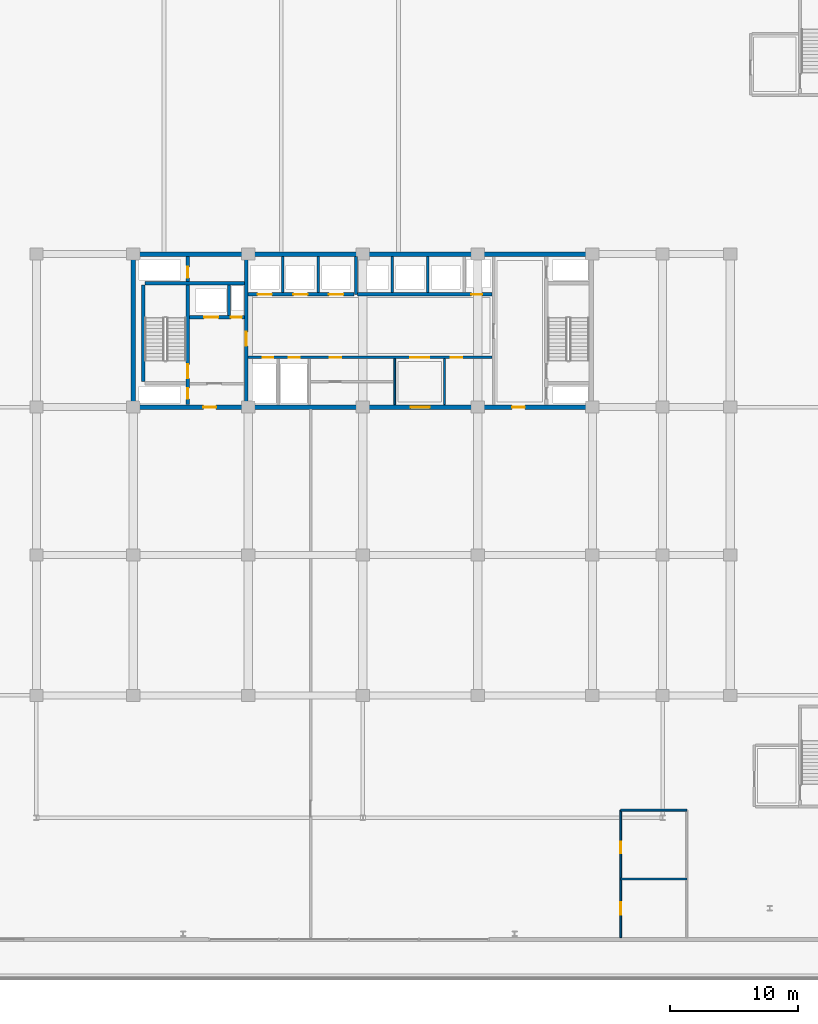
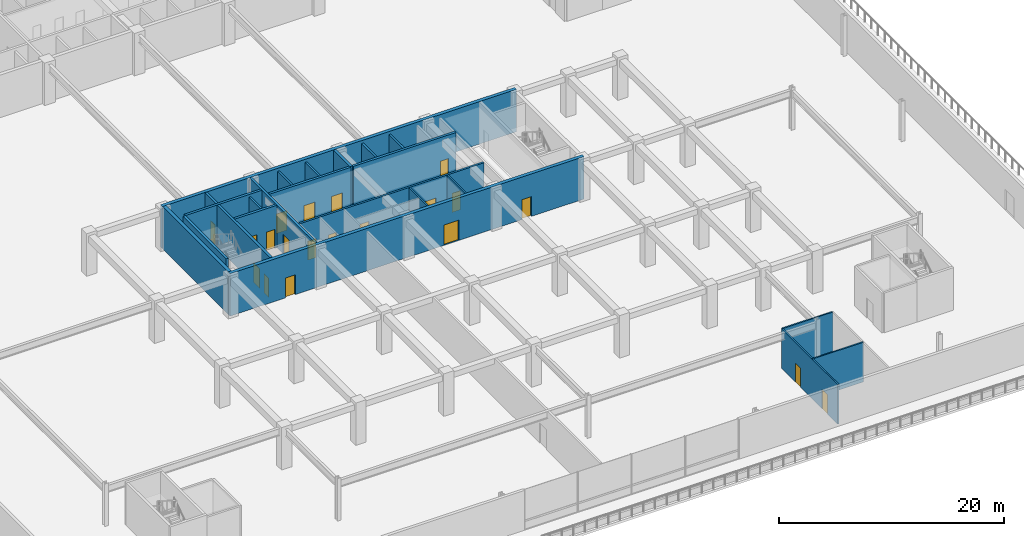
# One storey, part 21 of 45: 22 walls, 20 doors, 20 openings.
"""IFC4 building model written with IfcOpenShell, lengths in metres."""

from ifc_helpers import new_model, si_unit, direction, frame, frame_2d, origin, place, context, subcontext, project, spatial, rectangle, extrude, material, layer, layer_set, type_object, element, fill, save


model = new_model("IFC4")

# Units and contexts
model_context = context("Model", 3, precision=1e-05, world=origin(), true_north=direction((0.0, 1.0)))
body_context = subcontext(model_context, "Body", "Model", "MODEL_VIEW")
ifc_project = project(units=[si_unit("LENGTHUNIT", "METRE"), si_unit("AREAUNIT", "SQUARE_METRE"), si_unit("VOLUMEUNIT", "CUBIC_METRE"), si_unit("PLANEANGLEUNIT", "RADIAN"), si_unit("MASSUNIT", "GRAM", prefix="KILO")], contexts=[model_context])

# Site, building, storey
site_placement = place(None, origin())
site = spatial("IfcSite", under=ifc_project, at=site_placement, CompositionType="ELEMENT")
building_placement = place(site_placement, origin())
building = spatial("IfcBuilding", under=site, at=building_placement, Name="Korimba Cascade Residences", CompositionType="ELEMENT")
storey_placement = place(building_placement, frame((0.0, 0.0, 5.39990234375)))
storey = spatial("IfcBuildingStorey", under=building, at=storey_placement, Name="L01", CompositionType="ELEMENT", Elevation=5.39990234375)

# Walls
ifc_material_1 = material(Name="Concrete C65/80", Category="concrete")
ifc_layer_1 = layer(ifc_material_1, 0.35009765625)
ifc_layer_set_1 = layer_set([ifc_layer_1], Name="Concrete C65/80")
wall_type_1 = type_object("IfcWallType", Name="WAL-CORE-350", PredefinedType="SHEAR", material=ifc_layer_set_1)
wall_1_placement = place(storey_placement, frame((81.925048828125, 30.39990234375, 0.0), z_axis=(0.0, 0.0, 1.0), x_axis=(1.0, 0.0, 0.0)))
element("IfcWall", 1, at=wall_1_placement, inside=storey, type_object=wall_type_1, Name="L01 Core Shear Wall CW-L01-T2-N", PredefinedType="SHEAR", context=body_context, shape_type="SweptSolid", body=[
    extrude(rectangle(XDim=36.264892578125, YDim=0.35009765625, at=frame_2d((18.13232421875, 0.0))), origin(), (0.0, 0.0, 1.0), 4.60009765625),
])
wall_2_placement = place(storey_placement, frame((82.10009765625, 18.574951171875, 0.0), z_axis=(0.0, 0.0, 1.0), x_axis=(0.0, 1.0, 0.0)))
element("IfcWall", 2, at=wall_2_placement, inside=storey, type_object=wall_type_1, Name="L01 Core Shear Wall CW-L01-T2-W", PredefinedType="SHEAR", context=body_context, shape_type="SweptSolid", body=[
    extrude(rectangle(XDim=11.650146484375, YDim=0.35009765625, at=frame_2d((5.8251953125, 0.0))), origin(), (0.0, 0.0, 1.0), 4.60009765625),
])

# Wall, openings, doors
wall_3_placement = place(storey_placement, frame((81.925048828125, 18.39990234375, 0.0), z_axis=(0.0, 0.0, 1.0), x_axis=(1.0, 0.0, 0.0)))
wall_3 = element("IfcWall", 3, at=wall_3_placement, inside=storey, type_object=wall_type_1, Name="L01 Core Shear Wall CW-L01-T2-S", PredefinedType="SHEAR", context=body_context, shape_type="SweptSolid", body=[
    extrude(rectangle(XDim=36.264892578125, YDim=0.35009765625, at=frame_2d((18.13232421875, 0.0))), origin(), (0.0, 0.0, 1.0), 4.60009765625),
])
opening_1_placement = place(wall_3_placement, frame((5.675048828125, 0.0, 0.0)))
opening_1 = element("IfcOpeningElement", 4, at=opening_1_placement, cuts=wall_3, Name="Opening D-FD5", PredefinedType="OPENING", context=body_context, shape_type="SweptSolid", body=[
    extrude(rectangle(XDim=1.0, YDim=2.14990234375, at=frame_2d((0.5, 1.074951171875))), frame((0.0, 0.18505859375, 0.0), z_axis=(0.0, -1.0, 0.0), x_axis=(1.0, 0.0, 0.0)), (0.0, 0.0, 1.0), 0.3701171875),
])
opening_2_placement = place(wall_3_placement, frame((21.925048828125, 0.0, 0.0)))
opening_2 = element("IfcOpeningElement", 5, at=opening_2_placement, cuts=wall_3, Name="Opening D-FD8", PredefinedType="OPENING", context=body_context, shape_type="SweptSolid", body=[
    extrude(rectangle(XDim=1.5, YDim=2.199951171875, at=frame_2d((0.75, 1.10009765625))), frame((0.0, 0.18505859375, 0.0), z_axis=(0.0, -1.0, 0.0), x_axis=(1.0, 0.0, 0.0)), (0.0, 0.0, 1.0), 0.3701171875),
])
opening_3_placement = place(wall_3_placement, frame((29.875, 0.0, 0.0)))
opening_3 = element("IfcOpeningElement", 6, at=opening_3_placement, cuts=wall_3, Name="Opening D-FD5", PredefinedType="OPENING", context=body_context, shape_type="SweptSolid", body=[
    extrude(rectangle(XDim=1.0, YDim=2.14990234375, at=frame_2d((0.5, 1.074951171875))), frame((0.0, 0.18505859375, 0.0), z_axis=(0.0, -1.0, 0.0), x_axis=(1.0, 0.0, 0.0)), (0.0, 0.0, 1.0), 0.3701171875),
])
ifc_material_2 = material(Name="Fire-Rated Acoustic Timber Vestibule Door", Category="wood")
door_type_1 = type_object("IfcDoorType", Name="DR-FD90-1000", OperationType="NOTDEFINED", PredefinedType="DOOR", material=ifc_material_2)
door_1_placement = place(opening_1_placement, origin())
door_1 = element("IfcDoor", 7, at=door_1_placement, inside=storey, type_object=door_type_1, Name="L01 T2 West Core Vestibule Fire Door", OperationType="SINGLE_SWING_RIGHT", OverallHeight=2.14990234375, OverallWidth=1.0, PredefinedType="DOOR", context=body_context, shape_type="SweptSolid", body=[
    extrude(rectangle(XDim=1.0, YDim=2.14990234375, at=frame_2d((0.5, 1.074951171875))), frame((0.0, 0.02490234375, 0.0), z_axis=(0.0, -1.0, 0.0), x_axis=(1.0, 0.0, 0.0)), (0.0, 0.0, 1.0), 0.050048828125),
])
fill(opening_1, door_1)
door_2_placement = place(opening_3_placement, origin())
door_2 = element("IfcDoor", 8, at=door_2_placement, inside=storey, type_object=door_type_1, Name="L01 T2 East Stair Vestibule Fire Door", OperationType="SINGLE_SWING_LEFT", OverallHeight=2.14990234375, OverallWidth=1.0, PredefinedType="DOOR", context=body_context, shape_type="SweptSolid", body=[
    extrude(rectangle(XDim=1.0, YDim=2.14990234375, at=frame_2d((0.5, 1.074951171875))), frame((0.0, 0.02490234375, 0.0), z_axis=(0.0, -1.0, 0.0), x_axis=(1.0, 0.0, 0.0)), (0.0, 0.0, 1.0), 0.050048828125),
])
fill(opening_3, door_2)
ifc_material_3 = material(Name="Fire-Rated Glazed Lift Lobby Double Door", Category="glass")
door_type_2 = type_object("IfcDoorType", Name="DR-FD90-1500", OperationType="NOTDEFINED", PredefinedType="DOOR", material=ifc_material_3)
door_3_placement = place(opening_2_placement, origin())
door_3 = element("IfcDoor", 9, at=door_3_placement, inside=storey, type_object=door_type_2, Name="L01 T2 Lift Lobby Fire Door", OperationType="DOUBLE_DOOR_SINGLE_SWING", OverallHeight=2.199951171875, OverallWidth=1.5, PredefinedType="DOOR", context=body_context, shape_type="SweptSolid", body=[
    extrude(rectangle(XDim=1.5, YDim=2.199951171875, at=frame_2d((0.75, 1.10009765625))), frame((0.0, 0.02490234375, 0.0), z_axis=(0.0, -1.0, 0.0), x_axis=(1.0, 0.0, 0.0)), (0.0, 0.0, 1.0), 0.050048828125),
])
fill(opening_2, door_3)

# Walls
ifc_material_4 = material(Name="Insulated Acoustic Stud Partition", Category="gypsum")
ifc_layer_2 = layer(ifc_material_4, 0.14990234375)
ifc_layer_set_2 = layer_set([ifc_layer_2], Name="Insulated Acoustic Stud Partition")
wall_type_2 = type_object("IfcWallType", Name="WAL-PART-150", PredefinedType="PARTITIONING", material=ifc_layer_set_2)
for number, where, z_axis, x_axis, name in (
    (10, (102.60009765625, 18.60009765625, 0.0), (0.0, 0.0, 1.0), (0.0, 1.0, 0.0), "L01 Partition Wall CW-L01-T2-THW"),
    (11, (106.5, 18.60009765625, 0.0), (0.0, 0.0, 1.0), (0.0, 1.0, 0.0), "L01 Partition Wall CW-L01-T2-THE"),
):
    element("IfcWall", number, at=place(storey_placement, frame(where, z_axis=z_axis, x_axis=x_axis)), inside=storey, type_object=wall_type_2, Name=name, PredefinedType="PARTITIONING", context=body_context, shape_type="SweptSolid", body=[
        extrude(rectangle(XDim=3.599853515625, YDim=0.14990234375, at=frame_2d((1.7998046875, 0.0))), origin(), (0.0, 0.0, 1.0), 4.300048828125),
    ])

# Wall, openings, doors
wall_4_placement = place(storey_placement, frame((120.320068359375, -23.199951171875, 0.0), z_axis=(0.0, 0.0, 1.0), x_axis=(0.0, 1.0, 0.0)))
wall_4 = element("IfcWall", 12, at=wall_4_placement, inside=storey, type_object=wall_type_2, Name="L01 Partition Wall WAL-L01-WCW", PredefinedType="PARTITIONING", context=body_context, shape_type="SweptSolid", body=[
    extrude(rectangle(XDim=10.0, YDim=0.14990234375, at=frame_2d((5.0, 0.0))), origin(), (0.0, 0.0, 1.0), 4.300048828125),
])
opening_4_placement = place(wall_4_placement, frame((1.800048828125, 0.0, 0.0)))
opening_4 = element("IfcOpeningElement", 13, at=opening_4_placement, cuts=wall_4, Name="Opening D-AC1", PredefinedType="OPENING", context=body_context, shape_type="SweptSolid", body=[
    extrude(rectangle(XDim=0.9599609375, YDim=2.10009765625, at=frame_2d((0.47998046875, 1.050048828125))), frame((0.0, 0.0849609375, 0.0), z_axis=(0.0, -1.0, 0.0), x_axis=(1.0, 0.0, 0.0)), (0.0, 0.0, 1.0), 0.169921875),
])
opening_5_placement = place(wall_4_placement, frame((6.60009765625, 0.0, 0.0)))
opening_5 = element("IfcOpeningElement", 14, at=opening_5_placement, cuts=wall_4, Name="Opening D-IN1", PredefinedType="OPENING", context=body_context, shape_type="SweptSolid", body=[
    extrude(rectangle(XDim=0.919921875, YDim=2.080078125, at=frame_2d((0.4599609375, 1.0400390625))), frame((0.0, 0.0849609375, 0.0), z_axis=(0.0, -1.0, 0.0), x_axis=(1.0, 0.0, 0.0)), (0.0, 0.0, 1.0), 0.169921875),
])
ifc_material_5 = material(Name="Accessible Acoustic Timber WC Door", Category="wood")
door_type_3 = type_object("IfcDoorType", Name="DR-ACC-950", OperationType="NOTDEFINED", PredefinedType="DOOR", material=ifc_material_5)
door_4_placement = place(opening_4_placement, origin())
door_4 = element("IfcDoor", 15, at=door_4_placement, inside=storey, type_object=door_type_3, Name="L01 Accessible WC Door", OperationType="SINGLE_SWING_RIGHT", OverallHeight=2.10009765625, OverallWidth=0.9599609375, PredefinedType="DOOR", context=body_context, shape_type="SweptSolid", body=[
    extrude(rectangle(XDim=0.9599609375, YDim=2.10009765625, at=frame_2d((0.47998046875, 1.050048828125))), frame((0.0, 0.02490234375, 0.0), z_axis=(0.0, -1.0, 0.0), x_axis=(1.0, 0.0, 0.0)), (0.0, 0.0, 1.0), 0.050048828125),
])
fill(opening_4, door_4)
ifc_material_6 = material(Name="Acoustic Timber Living Door", Category="wood")
door_type_4 = type_object("IfcDoorType", Name="DR-INT-920", OperationType="NOTDEFINED", PredefinedType="DOOR", material=ifc_material_6)
door_5_placement = place(opening_5_placement, origin())
door_5 = element("IfcDoor", 16, at=door_5_placement, inside=storey, type_object=door_type_4, Name="L01 Restroom Door", OperationType="SINGLE_SWING_LEFT", OverallHeight=2.080078125, OverallWidth=0.919921875, PredefinedType="DOOR", context=body_context, shape_type="SweptSolid", body=[
    extrude(rectangle(XDim=0.919921875, YDim=2.080078125, at=frame_2d((0.4599609375, 1.0400390625))), frame((0.0, 0.02490234375, 0.0), z_axis=(0.0, -1.0, 0.0), x_axis=(1.0, 0.0, 0.0)), (0.0, 0.0, 1.0), 0.050048828125),
])
fill(opening_5, door_5)

# Walls
for number, where, z_axis, x_axis, name in (
    (17, (120.320068359375, -18.60009765625, 0.0), (0.0, 0.0, 1.0), (1.0, 0.0, 0.0), "L01 Partition Wall WAL-L01-WCH1"),
    (18, (120.320068359375, -13.199951171875, 0.0), (0.0, 0.0, 1.0), (1.0, 0.0, 0.0), "L01 Partition Wall WAL-L01-WCH2"),
):
    element("IfcWall", number, at=place(storey_placement, frame(where, z_axis=z_axis, x_axis=x_axis)), inside=storey, type_object=wall_type_2, Name=name, PredefinedType="PARTITIONING", context=body_context, shape_type="SweptSolid", body=[
        extrude(rectangle(XDim=5.179931640625, YDim=0.14990234375, at=frame_2d((2.58984375, 0.0))), origin(), (0.0, 0.0, 1.0), 4.300048828125),
    ])
ifc_material_7 = material(Name="Concrete C40/50", Category="concrete")
ifc_layer_3 = layer(ifc_material_7, 0.199951171875)
ifc_layer_set_3 = layer_set([ifc_layer_3], Name="Concrete C40/50")
wall_type_3 = type_object("IfcWallType", Name="WAL-PART-200", PredefinedType="PARTITIONING", material=ifc_layer_set_3)
wall_5_placement = place(storey_placement, frame((89.60009765625, 25.580078125, 0.0), z_axis=(0.0, 0.0, 1.0), x_axis=(0.0, 1.0, 0.0)))
element("IfcWall", 19, at=wall_5_placement, inside=storey, type_object=wall_type_3, Name="L01 Partition Wall CW-L01-T2-FFLDIV", PredefinedType="PARTITIONING", context=body_context, shape_type="SweptSolid", body=[
    extrude(rectangle(XDim=2.419921875, YDim=0.199951171875, at=frame_2d((1.2099609375, 0.0))), origin(), (0.0, 0.0, 1.0), 4.300048828125),
])
for number, where, z_axis, x_axis, name in (
    (20, (93.800048828125, 27.3798828125, 0.0), (0.0, 0.0, 1.0), (0.0, 1.0, 0.0), "L01 Partition Wall CW-L01-T2-B1D1"),
    (21, (96.60009765625, 27.3798828125, 0.0), (0.0, 0.0, 1.0), (0.0, 1.0, 0.0), "L01 Partition Wall CW-L01-T2-B1D2"),
    (22, (102.39990234375, 27.3798828125, 0.0), (0.0, 0.0, 1.0), (0.0, 1.0, 0.0), "L01 Partition Wall CW-L01-T2-B2D1"),
    (23, (105.199951171875, 27.3798828125, 0.0), (0.0, 0.0, 1.0), (0.0, 1.0, 0.0), "L01 Partition Wall CW-L01-T2-B2D2"),
):
    element("IfcWall", number, at=place(storey_placement, frame(where, z_axis=z_axis, x_axis=x_axis)), inside=storey, type_object=wall_type_3, Name=name, PredefinedType="PARTITIONING", context=body_context, shape_type="SweptSolid", body=[
        extrude(rectangle(XDim=2.820068359375, YDim=0.199951171875, at=frame_2d((1.41015625, 0.0))), origin(), (0.0, 0.0, 1.0), 4.300048828125),
    ])

# Wall, openings, doors
wall_6_placement = place(storey_placement, frame((91.080078125, 22.300048828125, 0.0), z_axis=(0.0, 0.0, 1.0), x_axis=(1.0, 0.0, 0.0)))
wall_6 = element("IfcWall", 24, at=wall_6_placement, inside=storey, type_object=wall_type_3, Name="L01 Partition Wall CW-L01-T2-SRVROW", PredefinedType="PARTITIONING", context=body_context, shape_type="SweptSolid", body=[
    extrude(rectangle(XDim=19.139892578125, YDim=0.199951171875, at=frame_2d((9.56982421875, 0.0))), origin(), (0.0, 0.0, 1.0), 4.300048828125),
])
opening_6_placement = place(wall_6_placement, frame((1.14990234375, 0.0, 0.0)))
opening_6 = element("IfcOpeningElement", 25, at=opening_6_placement, cuts=wall_6, Name="Opening D-RS1", PredefinedType="OPENING", context=body_context, shape_type="SweptSolid", body=[
    extrude(rectangle(XDim=0.85009765625, YDim=2.050048828125, at=frame_2d((0.425048828125, 1.02490234375))), frame((0.0, 0.10986328125, 0.0), z_axis=(0.0, -1.0, 0.0), x_axis=(1.0, 0.0, 0.0)), (0.0, 0.0, 1.0), 0.219970703125),
])
opening_7_placement = place(wall_6_placement, frame((3.199951171875, 0.0, 0.0)))
opening_7 = element("IfcOpeningElement", 26, at=opening_7_placement, cuts=wall_6, Name="Opening D-RS1", PredefinedType="OPENING", context=body_context, shape_type="SweptSolid", body=[
    extrude(rectangle(XDim=0.85009765625, YDim=2.050048828125, at=frame_2d((0.425048828125, 1.02490234375))), frame((0.0, 0.10986328125, 0.0), z_axis=(0.0, -1.0, 0.0), x_axis=(1.0, 0.0, 0.0)), (0.0, 0.0, 1.0), 0.219970703125),
])
opening_8_placement = place(wall_6_placement, frame((12.719970703125, 0.0, 0.0)))
opening_8 = element("IfcOpeningElement", 27, at=opening_8_placement, cuts=wall_6, Name="Opening D-FD8", PredefinedType="OPENING", context=body_context, shape_type="SweptSolid", body=[
    extrude(rectangle(XDim=1.5, YDim=2.199951171875, at=frame_2d((0.75, 1.10009765625))), frame((0.0, 0.10986328125, 0.0), z_axis=(0.0, -1.0, 0.0), x_axis=(1.0, 0.0, 0.0)), (0.0, 0.0, 1.0), 0.219970703125),
])
opening_9_placement = place(wall_6_placement, frame((6.419921875, 0.0, 0.0)))
opening_9 = element("IfcOpeningElement", 28, at=opening_9_placement, cuts=wall_6, Name="Opening D-IN1", PredefinedType="OPENING", context=body_context, shape_type="SweptSolid", body=[
    extrude(rectangle(XDim=0.919921875, YDim=2.080078125, at=frame_2d((0.4599609375, 1.0400390625))), frame((0.0, 0.10986328125, 0.0), z_axis=(0.0, -1.0, 0.0), x_axis=(1.0, 0.0, 0.0)), (0.0, 0.0, 1.0), 0.219970703125),
])
opening_10_placement = place(wall_6_placement, frame((15.919921875, 0.0, 0.0)))
opening_10 = element("IfcOpeningElement", 29, at=opening_10_placement, cuts=wall_6, Name="Opening D-IN2", PredefinedType="OPENING", context=body_context, shape_type="SweptSolid", body=[
    extrude(rectangle(XDim=0.8798828125, YDim=2.06005859375, at=frame_2d((0.43994140625, 1.030029296875))), frame((0.0, 0.10986328125, 0.0), z_axis=(0.0, -1.0, 0.0), x_axis=(1.0, 0.0, 0.0)), (0.0, 0.0, 1.0), 0.219970703125),
])
ifc_material_8 = material(Name="Fire-Rated Steel Riser Access Door", Category="steel")
door_type_5 = type_object("IfcDoorType", Name="DR-FD60-850", OperationType="NOTDEFINED", PredefinedType="DOOR", material=ifc_material_8)
door_6_placement = place(opening_6_placement, origin())
door_6 = element("IfcDoor", 30, at=door_6_placement, inside=storey, type_object=door_type_5, Name="L01 T2 Electrical Riser Door", OperationType="SINGLE_SWING_RIGHT", OverallHeight=2.050048828125, OverallWidth=0.85009765625, PredefinedType="DOOR", context=body_context, shape_type="SweptSolid", body=[
    extrude(rectangle(XDim=0.85009765625, YDim=2.050048828125, at=frame_2d((0.425048828125, 1.02490234375))), frame((0.0, 0.02490234375, 0.0), z_axis=(0.0, -1.0, 0.0), x_axis=(1.0, 0.0, 0.0)), (0.0, 0.0, 1.0), 0.050048828125),
])
fill(opening_6, door_6)
door_7_placement = place(opening_7_placement, origin())
door_7 = element("IfcDoor", 31, at=door_7_placement, inside=storey, type_object=door_type_5, Name="L01 T2 Plumbing Riser Door", OperationType="SINGLE_SWING_LEFT", OverallHeight=2.050048828125, OverallWidth=0.85009765625, PredefinedType="DOOR", context=body_context, shape_type="SweptSolid", body=[
    extrude(rectangle(XDim=0.85009765625, YDim=2.050048828125, at=frame_2d((0.425048828125, 1.02490234375))), frame((0.0, 0.02490234375, 0.0), z_axis=(0.0, -1.0, 0.0), x_axis=(1.0, 0.0, 0.0)), (0.0, 0.0, 1.0), 0.050048828125),
])
fill(opening_7, door_7)
door_8_placement = place(opening_8_placement, origin())
door_8 = element("IfcDoor", 32, at=door_8_placement, inside=storey, type_object=door_type_2, Name="L01 T2 Lift Lobby Foyer Door", OperationType="DOUBLE_DOOR_SINGLE_SWING", OverallHeight=2.199951171875, OverallWidth=1.5, PredefinedType="DOOR", context=body_context, shape_type="SweptSolid", body=[
    extrude(rectangle(XDim=1.5, YDim=2.199951171875, at=frame_2d((0.75, 1.10009765625))), frame((0.0, 0.02490234375, 0.0), z_axis=(0.0, -1.0, 0.0), x_axis=(1.0, 0.0, 0.0)), (0.0, 0.0, 1.0), 0.050048828125),
])
fill(opening_8, door_8)
ifc_material_9 = material(Name="Acoustic Timber Bedroom Door", Category="wood")
door_type_6 = type_object("IfcDoorType", Name="DR-INT-880", OperationType="NOTDEFINED", PredefinedType="DOOR", material=ifc_material_9)
door_9_placement = place(opening_10_placement, origin())
door_9 = element("IfcDoor", 33, at=door_9_placement, inside=storey, type_object=door_type_6, Name="L01 T2 Staff WC Door", OperationType="SINGLE_SWING_LEFT", OverallHeight=2.06005859375, OverallWidth=0.8798828125, PredefinedType="DOOR", context=body_context, shape_type="SweptSolid", body=[
    extrude(rectangle(XDim=0.8798828125, YDim=2.06005859375, at=frame_2d((0.43994140625, 1.030029296875))), frame((0.0, 0.02490234375, 0.0), z_axis=(0.0, -1.0, 0.0), x_axis=(1.0, 0.0, 0.0)), (0.0, 0.0, 1.0), 0.050048828125),
])
fill(opening_10, door_9)
door_10_placement = place(opening_9_placement, origin())
door_10 = element("IfcDoor", 34, at=door_10_placement, inside=storey, type_object=door_type_4, Name="L01 T2 Locker Door", OperationType="SINGLE_SWING_RIGHT", OverallHeight=2.080078125, OverallWidth=0.919921875, PredefinedType="DOOR", context=body_context, shape_type="SweptSolid", body=[
    extrude(rectangle(XDim=0.919921875, YDim=2.080078125, at=frame_2d((0.4599609375, 1.0400390625))), frame((0.0, 0.02490234375, 0.0), z_axis=(0.0, -1.0, 0.0), x_axis=(1.0, 0.0, 0.0)), (0.0, 0.0, 1.0), 0.050048828125),
])
fill(opening_9, door_10)

# Wall
ifc_material_10 = material(Name="Concrete C50/60", Category="concrete")
ifc_layer_4 = layer(ifc_material_10, 0.25)
ifc_layer_set_4 = layer_set([ifc_layer_4], Name="Concrete C50/60")
wall_type_4 = type_object("IfcWallType", Name="WAL-SHAFT-250", PredefinedType="SHEAR", material=ifc_layer_set_4)
wall_7_placement = place(storey_placement, frame((82.875, 20.39990234375, 0.0), z_axis=(0.0, 0.0, 1.0), x_axis=(0.0, 1.0, 0.0)))
element("IfcWall", 35, at=wall_7_placement, inside=storey, type_object=wall_type_4, Name="L01 Core Shear Wall CW-L01-T2-STE1W", PredefinedType="SHEAR", context=body_context, shape_type="SweptSolid", body=[
    extrude(rectangle(XDim=7.60009765625, YDim=0.25, at=frame_2d((3.800048828125, 0.0))), origin(), (0.0, 0.0, 1.0), 4.60009765625),
])

# Wall, openings, doors
wall_8_placement = place(storey_placement, frame((86.364990234375, 18.60009765625, 0.0), z_axis=(0.0, 0.0, 1.0), x_axis=(0.0, 1.0, 0.0)))
wall_8 = element("IfcWall", 36, at=wall_8_placement, inside=storey, type_object=wall_type_4, Name="L01 Core Shear Wall CW-L01-T2-STE1E", PredefinedType="SHEAR", context=body_context, shape_type="SweptSolid", body=[
    extrude(rectangle(XDim=11.599853515625, YDim=0.25, at=frame_2d((5.7998046875, 0.0))), origin(), (0.0, 0.0, 1.0), 4.60009765625),
])
opening_11_placement = place(wall_8_placement, frame((0.449951171875, 0.0, 0.0)))
opening_11 = element("IfcOpeningElement", 37, at=opening_11_placement, cuts=wall_8, Name="Opening D-RS1", PredefinedType="OPENING", context=body_context, shape_type="SweptSolid", body=[
    extrude(rectangle(XDim=0.85009765625, YDim=2.050048828125, at=frame_2d((0.425048828125, 1.02490234375))), frame((0.0, 0.135009765625, 0.0), z_axis=(0.0, -1.0, 0.0), x_axis=(1.0, 0.0, 0.0)), (0.0, 0.0, 1.0), 0.27001953125),
])
opening_12_placement = place(wall_8_placement, frame((2.050048828125, 0.0, 0.0)))
opening_12 = element("IfcOpeningElement", 38, at=opening_12_placement, cuts=wall_8, Name="Opening D-FD1", PredefinedType="OPENING", context=body_context, shape_type="SweptSolid", body=[
    extrude(rectangle(XDim=1.10009765625, YDim=2.10009765625, at=frame_2d((0.550048828125, 1.050048828125))), frame((0.0, 0.135009765625, 0.0), z_axis=(0.0, -1.0, 0.0), x_axis=(1.0, 0.0, 0.0)), (0.0, 0.0, 1.0), 0.27001953125),
])
opening_13_placement = place(wall_8_placement, frame((9.949951171875, 0.0, 0.0)))
opening_13 = element("IfcOpeningElement", 39, at=opening_13_placement, cuts=wall_8, Name="Opening D-RS1", PredefinedType="OPENING", context=body_context, shape_type="SweptSolid", body=[
    extrude(rectangle(XDim=0.85009765625, YDim=2.050048828125, at=frame_2d((0.425048828125, 1.02490234375))), frame((0.0, 0.135009765625, 0.0), z_axis=(0.0, -1.0, 0.0), x_axis=(1.0, 0.0, 0.0)), (0.0, 0.0, 1.0), 0.27001953125),
])
ifc_material_11 = material(Name="Fire-Rated Steel Core Door", Category="steel")
door_type_7 = type_object("IfcDoorType", Name="DR-FD120-1100", OperationType="NOTDEFINED", PredefinedType="DOOR", material=ifc_material_11)
door_11_placement = place(opening_12_placement, origin())
door_11 = element("IfcDoor", 40, at=door_11_placement, inside=storey, type_object=door_type_7, Name="L01 Fire Stair ST-E1 Door", OperationType="SINGLE_SWING_LEFT", OverallHeight=2.10009765625, OverallWidth=1.10009765625, PredefinedType="DOOR", context=body_context, shape_type="SweptSolid", body=[
    extrude(rectangle(XDim=1.10009765625, YDim=2.10009765625, at=frame_2d((0.550048828125, 1.050048828125))), frame((0.0, 0.02490234375, 0.0), z_axis=(0.0, -1.0, 0.0), x_axis=(1.0, 0.0, 0.0)), (0.0, 0.0, 1.0), 0.050048828125),
])
fill(opening_12, door_11)
door_12_placement = place(opening_11_placement, origin())
door_12 = element("IfcDoor", 41, at=door_12_placement, inside=storey, type_object=door_type_5, Name="L01 T2 Hydrant Riser Door", OperationType="SINGLE_SWING_RIGHT", OverallHeight=2.050048828125, OverallWidth=0.85009765625, PredefinedType="DOOR", context=body_context, shape_type="SweptSolid", body=[
    extrude(rectangle(XDim=0.85009765625, YDim=2.050048828125, at=frame_2d((0.425048828125, 1.02490234375))), frame((0.0, 0.02490234375, 0.0), z_axis=(0.0, -1.0, 0.0), x_axis=(1.0, 0.0, 0.0)), (0.0, 0.0, 1.0), 0.050048828125),
])
fill(opening_11, door_12)
door_13_placement = place(opening_13_placement, origin())
door_13 = element("IfcDoor", 42, at=door_13_placement, inside=storey, type_object=door_type_5, Name="L01 T2 Smoke Shaft Door", OperationType="SINGLE_SWING_RIGHT", OverallHeight=2.050048828125, OverallWidth=0.85009765625, PredefinedType="DOOR", context=body_context, shape_type="SweptSolid", body=[
    extrude(rectangle(XDim=0.85009765625, YDim=2.050048828125, at=frame_2d((0.425048828125, 1.02490234375))), frame((0.0, 0.02490234375, 0.0), z_axis=(0.0, -1.0, 0.0), x_axis=(1.0, 0.0, 0.0)), (0.0, 0.0, 1.0), 0.050048828125),
])
fill(opening_13, door_13)

# Wall
wall_9_placement = place(storey_placement, frame((83.0, 28.125, 0.0), z_axis=(0.0, 0.0, 1.0), x_axis=(1.0, 0.0, 0.0)))
element("IfcWall", 43, at=wall_9_placement, inside=storey, type_object=wall_type_4, Name="L01 Core Shear Wall CW-L01-T2-STE1N", PredefinedType="SHEAR", context=body_context, shape_type="SweptSolid", body=[
    extrude(rectangle(XDim=7.820068359375, YDim=0.25, at=frame_2d((3.91015625, 0.0))), origin(), (0.0, 0.0, 1.0), 4.60009765625),
])

# Wall, openings, doors
wall_10_placement = place(storey_placement, frame((86.5, 25.449951171875, 0.0), z_axis=(0.0, 0.0, 1.0), x_axis=(1.0, 0.0, 0.0)))
wall_10 = element("IfcWall", 44, at=wall_10_placement, inside=storey, type_object=wall_type_4, Name="L01 Core Shear Wall CW-L01-T2-FFLN", PredefinedType="SHEAR", context=body_context, shape_type="SweptSolid", body=[
    extrude(rectangle(XDim=4.320068359375, YDim=0.25, at=frame_2d((2.16015625, 0.0))), origin(), (0.0, 0.0, 1.0), 4.60009765625),
])
opening_14_placement = place(wall_10_placement, frame((1.139892578125, 0.0, 0.0)))
opening_14 = element("IfcOpeningElement", 45, at=opening_14_placement, cuts=wall_10, Name="Opening LD-01", PredefinedType="OPENING", context=body_context, shape_type="SweptSolid", body=[
    extrude(rectangle(XDim=1.1201171875, YDim=2.1201171875, at=frame_2d((0.56005859375, 1.06005859375))), frame((0.0, 0.135009765625, 0.0), z_axis=(0.0, -1.0, 0.0), x_axis=(1.0, 0.0, 0.0)), (0.0, 0.0, 1.0), 0.27001953125),
])
opening_15_placement = place(wall_10_placement, frame((3.25, 0.0, 0.0)))
opening_15 = element("IfcOpeningElement", 46, at=opening_15_placement, cuts=wall_10, Name="Opening D-RS1", PredefinedType="OPENING", context=body_context, shape_type="SweptSolid", body=[
    extrude(rectangle(XDim=0.85009765625, YDim=2.050048828125, at=frame_2d((0.425048828125, 1.02490234375))), frame((0.0, 0.135009765625, 0.0), z_axis=(0.0, -1.0, 0.0), x_axis=(1.0, 0.0, 0.0)), (0.0, 0.0, 1.0), 0.27001953125),
])
door_14_placement = place(opening_15_placement, origin())
door_14 = element("IfcDoor", 47, at=door_14_placement, inside=storey, type_object=door_type_5, Name="L01 T2 Pressurisation Riser Door", OperationType="SINGLE_SWING_LEFT", OverallHeight=2.050048828125, OverallWidth=0.85009765625, PredefinedType="DOOR", context=body_context, shape_type="SweptSolid", body=[
    extrude(rectangle(XDim=0.85009765625, YDim=2.050048828125, at=frame_2d((0.425048828125, 1.02490234375))), frame((0.0, 0.02490234375, 0.0), z_axis=(0.0, -1.0, 0.0), x_axis=(1.0, 0.0, 0.0)), (0.0, 0.0, 1.0), 0.050048828125),
])
fill(opening_15, door_14)
ifc_material_12 = material(Name="Stainless Steel Lift Landing Sliding Door", Category="steel")
door_type_8 = type_object("IfcDoorType", Name="DR-LIFT-1100", OperationType="NOTDEFINED", PredefinedType="DOOR", material=ifc_material_12)
door_15_placement = place(opening_14_placement, origin())
door_15 = element("IfcDoor", 48, at=door_15_placement, inside=storey, type_object=door_type_8, Name="L01 Firefighting Lift Landing Door FFL-E1", OperationType="SLIDING_TO_RIGHT", OverallHeight=2.1201171875, OverallWidth=1.1201171875, PredefinedType="DOOR", context=body_context, shape_type="SweptSolid", body=[
    extrude(rectangle(XDim=1.1201171875, YDim=2.1201171875, at=frame_2d((0.56005859375, 1.06005859375))), frame((0.0, 0.02490234375, 0.0), z_axis=(0.0, -1.0, 0.0), x_axis=(1.0, 0.0, 0.0)), (0.0, 0.0, 1.0), 0.050048828125),
])
fill(opening_14, door_15)

# Wall, opening, door
wall_11_placement = place(storey_placement, frame((90.949951171875, 18.60009765625, 0.0), z_axis=(0.0, 0.0, 1.0), x_axis=(0.0, 1.0, 0.0)))
wall_11 = element("IfcWall", 49, at=wall_11_placement, inside=storey, type_object=wall_type_4, Name="L01 Core Shear Wall CW-L01-T2-FFLE", PredefinedType="SHEAR", context=body_context, shape_type="SweptSolid", body=[
    extrude(rectangle(XDim=11.599853515625, YDim=0.25, at=frame_2d((5.7998046875, 0.0))), origin(), (0.0, 0.0, 1.0), 4.60009765625),
])
opening_16_placement = place(wall_11_placement, frame((4.60009765625, 0.0, 0.0)))
opening_16 = element("IfcOpeningElement", 50, at=opening_16_placement, cuts=wall_11, Name="Opening D-FD1", PredefinedType="OPENING", context=body_context, shape_type="SweptSolid", body=[
    extrude(rectangle(XDim=1.10009765625, YDim=2.10009765625, at=frame_2d((0.550048828125, 1.050048828125))), frame((0.0, 0.135009765625, 0.0), z_axis=(0.0, -1.0, 0.0), x_axis=(1.0, 0.0, 0.0)), (0.0, 0.0, 1.0), 0.27001953125),
])
door_16_placement = place(opening_16_placement, origin())
door_16 = element("IfcDoor", 51, at=door_16_placement, inside=storey, type_object=door_type_7, Name="L01 T2 Firefighting Lobby to Lift Lobby Door", OperationType="SINGLE_SWING_LEFT", OverallHeight=2.10009765625, OverallWidth=1.10009765625, PredefinedType="DOOR", context=body_context, shape_type="SweptSolid", body=[
    extrude(rectangle(XDim=1.10009765625, YDim=2.10009765625, at=frame_2d((0.550048828125, 1.050048828125))), frame((0.0, 0.02490234375, 0.0), z_axis=(0.0, -1.0, 0.0), x_axis=(1.0, 0.0, 0.0)), (0.0, 0.0, 1.0), 0.050048828125),
])
fill(opening_16, door_16)

# Wall, openings, doors
wall_12_placement = place(storey_placement, frame((91.080078125, 27.25, 0.0), z_axis=(0.0, 0.0, 1.0), x_axis=(1.0, 0.0, 0.0)))
wall_12 = element("IfcWall", 52, at=wall_12_placement, inside=storey, type_object=wall_type_4, Name="L01 Core Shear Wall CW-L01-T2-B1S", PredefinedType="SHEAR", context=body_context, shape_type="SweptSolid", body=[
    extrude(rectangle(XDim=8.33984375, YDim=0.25, at=frame_2d((4.169921875, 0.0))), origin(), (0.0, 0.0, 1.0), 4.60009765625),
])
opening_17_placement = place(wall_12_placement, frame((0.760009765625, 0.0, 0.0)))
opening_17 = element("IfcOpeningElement", 53, at=opening_17_placement, cuts=wall_12, Name="Opening LD-01", PredefinedType="OPENING", context=body_context, shape_type="SweptSolid", body=[
    extrude(rectangle(XDim=1.1201171875, YDim=2.1201171875, at=frame_2d((0.56005859375, 1.06005859375))), frame((0.0, 0.135009765625, 0.0), z_axis=(0.0, -1.0, 0.0), x_axis=(1.0, 0.0, 0.0)), (0.0, 0.0, 1.0), 0.27001953125),
])
opening_18_placement = place(wall_12_placement, frame((3.56005859375, 0.0, 0.0)))
opening_18 = element("IfcOpeningElement", 54, at=opening_18_placement, cuts=wall_12, Name="Opening LD-01", PredefinedType="OPENING", context=body_context, shape_type="SweptSolid", body=[
    extrude(rectangle(XDim=1.1201171875, YDim=2.1201171875, at=frame_2d((0.56005859375, 1.06005859375))), frame((0.0, 0.135009765625, 0.0), z_axis=(0.0, -1.0, 0.0), x_axis=(1.0, 0.0, 0.0)), (0.0, 0.0, 1.0), 0.27001953125),
])
opening_19_placement = place(wall_12_placement, frame((6.360107421875, 0.0, 0.0)))
opening_19 = element("IfcOpeningElement", 55, at=opening_19_placement, cuts=wall_12, Name="Opening LD-01", PredefinedType="OPENING", context=body_context, shape_type="SweptSolid", body=[
    extrude(rectangle(XDim=1.1201171875, YDim=2.1201171875, at=frame_2d((0.56005859375, 1.06005859375))), frame((0.0, 0.135009765625, 0.0), z_axis=(0.0, -1.0, 0.0), x_axis=(1.0, 0.0, 0.0)), (0.0, 0.0, 1.0), 0.27001953125),
])
door_17_placement = place(opening_17_placement, origin())
door_17 = element("IfcDoor", 56, at=door_17_placement, inside=storey, type_object=door_type_8, Name="L01 Lift Landing Door PL-E1", OperationType="SLIDING_TO_LEFT", OverallHeight=2.1201171875, OverallWidth=1.1201171875, PredefinedType="DOOR", context=body_context, shape_type="SweptSolid", body=[
    extrude(rectangle(XDim=1.1201171875, YDim=2.1201171875, at=frame_2d((0.56005859375, 1.06005859375))), frame((0.0, 0.02490234375, 0.0), z_axis=(0.0, -1.0, 0.0), x_axis=(1.0, 0.0, 0.0)), (0.0, 0.0, 1.0), 0.050048828125),
])
fill(opening_17, door_17)
door_18_placement = place(opening_18_placement, origin())
door_18 = element("IfcDoor", 57, at=door_18_placement, inside=storey, type_object=door_type_8, Name="L01 Lift Landing Door PL-E2", OperationType="SLIDING_TO_LEFT", OverallHeight=2.1201171875, OverallWidth=1.1201171875, PredefinedType="DOOR", context=body_context, shape_type="SweptSolid", body=[
    extrude(rectangle(XDim=1.1201171875, YDim=2.1201171875, at=frame_2d((0.56005859375, 1.06005859375))), frame((0.0, 0.02490234375, 0.0), z_axis=(0.0, -1.0, 0.0), x_axis=(1.0, 0.0, 0.0)), (0.0, 0.0, 1.0), 0.050048828125),
])
fill(opening_18, door_18)
door_19_placement = place(opening_19_placement, origin())
door_19 = element("IfcDoor", 58, at=door_19_placement, inside=storey, type_object=door_type_8, Name="L01 Lift Landing Door PL-E3", OperationType="SLIDING_TO_LEFT", OverallHeight=2.1201171875, OverallWidth=1.1201171875, PredefinedType="DOOR", context=body_context, shape_type="SweptSolid", body=[
    extrude(rectangle(XDim=1.1201171875, YDim=2.1201171875, at=frame_2d((0.56005859375, 1.06005859375))), frame((0.0, 0.02490234375, 0.0), z_axis=(0.0, -1.0, 0.0), x_axis=(1.0, 0.0, 0.0)), (0.0, 0.0, 1.0), 0.050048828125),
])
fill(opening_19, door_19)

# Wall
wall_13_placement = place(storey_placement, frame((99.550048828125, 27.25, 0.0), z_axis=(0.0, 0.0, 1.0), x_axis=(0.0, 1.0, 0.0)))
element("IfcWall", 59, at=wall_13_placement, inside=storey, type_object=wall_type_4, Name="L01 Core Shear Wall CW-L01-T2-B12DIV", PredefinedType="SHEAR", context=body_context, shape_type="SweptSolid", body=[
    extrude(rectangle(XDim=2.949951171875, YDim=0.25, at=frame_2d((1.47509765625, 0.0))), origin(), (0.0, 0.0, 1.0), 4.60009765625),
])

# Wall, opening, door
wall_14_placement = place(storey_placement, frame((99.679931640625, 27.25, 0.0), z_axis=(0.0, 0.0, 1.0), x_axis=(1.0, 0.0, 0.0)))
wall_14 = element("IfcWall", 60, at=wall_14_placement, inside=storey, type_object=wall_type_4, Name="L01 Core Shear Wall CW-L01-T2-B2S", PredefinedType="SHEAR", context=body_context, shape_type="SweptSolid", body=[
    extrude(rectangle(XDim=10.5400390625, YDim=0.25, at=frame_2d((5.27001953125, 0.0))), origin(), (0.0, 0.0, 1.0), 4.60009765625),
])
opening_20_placement = place(wall_14_placement, frame((8.919921875, 0.0, 0.0)))
opening_20 = element("IfcOpeningElement", 61, at=opening_20_placement, cuts=wall_14, Name="Opening D-RS1", PredefinedType="OPENING", context=body_context, shape_type="SweptSolid", body=[
    extrude(rectangle(XDim=0.85009765625, YDim=2.050048828125, at=frame_2d((0.425048828125, 1.02490234375))), frame((0.0, 0.135009765625, 0.0), z_axis=(0.0, -1.0, 0.0), x_axis=(1.0, 0.0, 0.0)), (0.0, 0.0, 1.0), 0.27001953125),
])
door_20_placement = place(opening_20_placement, origin())
door_20 = element("IfcDoor", 62, at=door_20_placement, inside=storey, type_object=door_type_5, Name="L01 T2 Duct Door", OperationType="SINGLE_SWING_RIGHT", OverallHeight=2.050048828125, OverallWidth=0.85009765625, PredefinedType="DOOR", context=body_context, shape_type="SweptSolid", body=[
    extrude(rectangle(XDim=0.85009765625, YDim=2.050048828125, at=frame_2d((0.425048828125, 1.02490234375))), frame((0.0, 0.02490234375, 0.0), z_axis=(0.0, -1.0, 0.0), x_axis=(1.0, 0.0, 0.0)), (0.0, 0.0, 1.0), 0.050048828125),
])
fill(opening_20, door_20)

save(model, "model.ifc")
